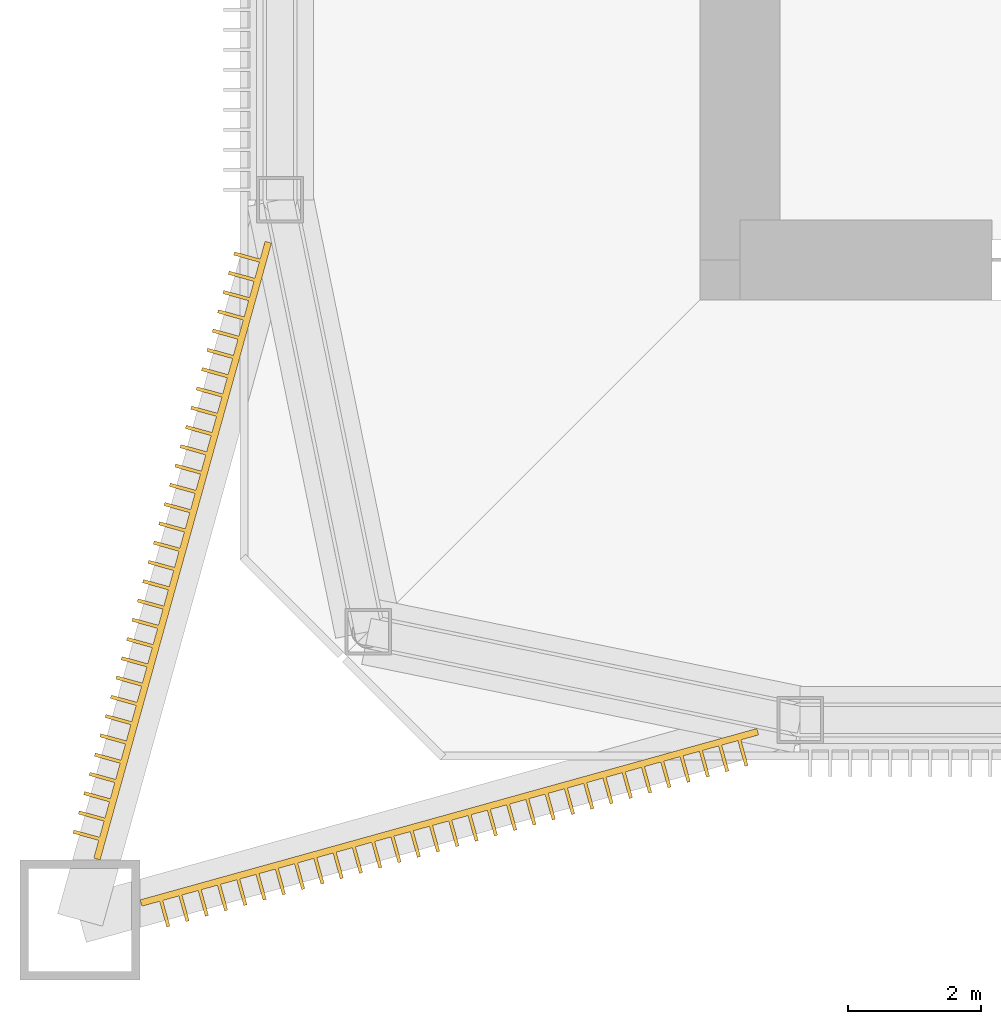
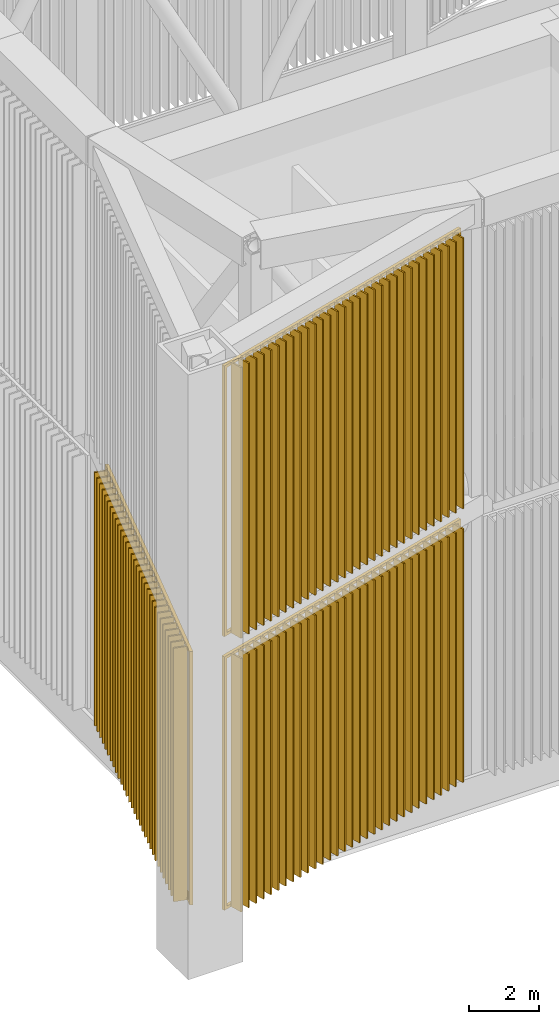
# One storey, part 4 of 13: 3 shading devices.
"""IFC4 building model written with IfcOpenShell, lengths in metres."""

from ifc_helpers import new_model, si_unit, direction, frame, origin, origin_2d, place, context, subcontext, project, spatial, rectangle, extrude, material, layer, layer_set, type_object, element, save


model = new_model("IFC4")

# Units and contexts
model_context = context("Model", 3, precision=1e-05, world=origin(), true_north=direction((0.0, 1.0)))
body_context = subcontext(model_context, "Body", "Model", "MODEL_VIEW")
ifc_project = project(units=[si_unit("LENGTHUNIT", "METRE"), si_unit("AREAUNIT", "SQUARE_METRE"), si_unit("VOLUMEUNIT", "CUBIC_METRE"), si_unit("PLANEANGLEUNIT", "RADIAN"), si_unit("MASSUNIT", "GRAM", prefix="KILO")], contexts=[model_context])

# Site, building, storey
site_placement = place(None, origin())
site = spatial("IfcSite", under=ifc_project, at=site_placement, CompositionType="ELEMENT")
building_placement = place(site_placement, origin())
building = spatial("IfcBuilding", under=site, at=building_placement, Name="Iwan Alto Co-Living Towers", CompositionType="ELEMENT")
storey_placement = place(building_placement, frame((0.0, 0.0, 267.5)))
storey = spatial("IfcBuildingStorey", under=building, at=storey_placement, Name="RF", CompositionType="ELEMENT", Elevation=267.5)

# Shading devices
ifc_material_1 = material(Name="Aluminium 6063-T6 bronze anodised", Category="aluminium")
ifc_layer_1 = layer(ifc_material_1, 0.39990234375, Name="Fins", Category="Finish")
ifc_material_2 = material(Name="Steel ASTM A36 galvanised frame", Category="steel")
ifc_layer_2 = layer(ifc_material_2, 0.10009765625, Name="Panel frame", Category="Framing")
ifc_layer_set = layer_set([ifc_layer_1, ifc_layer_2], Name="CROWN FIN SCREEN CORNER PANEL")
shading_device_type = type_object("IfcShadingDeviceType", Name="CROWN FIN SCREEN CORNER PANEL", PredefinedType="USERDEFINED", material=ifc_layer_set)
shading_device_1_placement = place(storey_placement, frame((0.0, 0.0, -267.5)))
element("IfcShadingDevice", 1, at=shading_device_1_placement, inside=storey, type_object=shading_device_type, Name="T1 crown fin screen SW-S lower", ObjectType="LOUVER", PredefinedType="USERDEFINED", context=body_context, shape_type="SweptSolid", body=[
    extrude(rectangle(XDim=9.59912109375, YDim=0.10009765625, at=origin_2d()), frame((-13.3603515625, -17.361083984375, 268.599853515625), z_axis=(0.0, 0.0, 1.0), x_axis=(-0.963517909615, -0.267643863841, 0.0)), (0.0, 0.0, 1.0), 0.10009765625),
    extrude(rectangle(XDim=9.59912109375, YDim=0.10009765625, at=origin_2d()), frame((-13.3603515625, -17.361083984375, 277.300048828125), z_axis=(0.0, 0.0, 1.0), x_axis=(-0.963517909615, -0.267643863841, 0.0)), (0.0, 0.0, 1.0), 0.10009765625),
    extrude(rectangle(XDim=0.10009765625, YDim=0.10009765625, at=origin_2d()), frame((-8.7841796875, -16.090087890625, 268.69482421875), z_axis=(0.0, 0.0, 1.0), x_axis=(-0.963517909615, -0.267643863841, 0.0)), (0.0, 0.0, 1.0), 8.610107421875),
    extrude(rectangle(XDim=0.10009765625, YDim=0.10009765625, at=origin_2d()), frame((-17.9365234375, -18.63232421875, 268.69482421875), z_axis=(0.0, 0.0, 1.0), x_axis=(-0.963517909615, -0.267643863841, 0.0)), (0.0, 0.0, 1.0), 8.610107421875),
    extrude(rectangle(XDim=0.050048828125, YDim=0.405029296875, at=origin_2d()), frame((-8.958251953125, -16.395263671875, 268.60009765625), z_axis=(0.0, 0.0, 1.0), x_axis=(-0.963517909615, -0.267643863841, 0.0)), (0.0, 0.0, 1.0), 8.800048828125),
    extrude(rectangle(XDim=0.050048828125, YDim=0.405029296875, at=origin_2d()), frame((-9.247314453125, -16.4755859375, 268.60009765625), z_axis=(0.0, 0.0, 1.0), x_axis=(-0.963517909615, -0.267643863841, 0.0)), (0.0, 0.0, 1.0), 8.800048828125),
    extrude(rectangle(XDim=0.050048828125, YDim=0.405029296875, at=origin_2d()), frame((-9.536376953125, -16.555908203125, 268.60009765625), z_axis=(0.0, 0.0, 1.0), x_axis=(-0.963517909615, -0.267643863841, 0.0)), (0.0, 0.0, 1.0), 8.800048828125),
    extrude(rectangle(XDim=0.050048828125, YDim=0.405029296875, at=origin_2d()), frame((-9.825439453125, -16.63623046875, 268.60009765625), z_axis=(0.0, 0.0, 1.0), x_axis=(-0.963517909615, -0.267643863841, 0.0)), (0.0, 0.0, 1.0), 8.800048828125),
    extrude(rectangle(XDim=0.050048828125, YDim=0.405029296875, at=origin_2d()), frame((-10.114501953125, -16.71630859375, 268.60009765625), z_axis=(0.0, 0.0, 1.0), x_axis=(-0.963517909615, -0.267643863841, 0.0)), (0.0, 0.0, 1.0), 8.800048828125),
    extrude(rectangle(XDim=0.050048828125, YDim=0.405029296875, at=origin_2d()), frame((-10.403564453125, -16.796630859375, 268.60009765625), z_axis=(0.0, 0.0, 1.0), x_axis=(-0.963517909615, -0.267643863841, 0.0)), (0.0, 0.0, 1.0), 8.800048828125),
    extrude(rectangle(XDim=0.050048828125, YDim=0.405029296875, at=origin_2d()), frame((-10.692626953125, -16.876953125, 268.60009765625), z_axis=(0.0, 0.0, 1.0), x_axis=(-0.963517909615, -0.267643863841, 0.0)), (0.0, 0.0, 1.0), 8.800048828125),
    extrude(rectangle(XDim=0.050048828125, YDim=0.405029296875, at=origin_2d()), frame((-10.981689453125, -16.957275390625, 268.60009765625), z_axis=(0.0, 0.0, 1.0), x_axis=(-0.963517909615, -0.267643863841, 0.0)), (0.0, 0.0, 1.0), 8.800048828125),
    extrude(rectangle(XDim=0.050048828125, YDim=0.405029296875, at=origin_2d()), frame((-11.270751953125, -17.03759765625, 268.60009765625), z_axis=(0.0, 0.0, 1.0), x_axis=(-0.963517909615, -0.267643863841, 0.0)), (0.0, 0.0, 1.0), 8.800048828125),
    extrude(rectangle(XDim=0.050048828125, YDim=0.405029296875, at=origin_2d()), frame((-11.559814453125, -17.117919921875, 268.60009765625), z_axis=(0.0, 0.0, 1.0), x_axis=(-0.963517909615, -0.267643863841, 0.0)), (0.0, 0.0, 1.0), 8.800048828125),
    extrude(rectangle(XDim=0.050048828125, YDim=0.405029296875, at=origin_2d()), frame((-11.848876953125, -17.1982421875, 268.60009765625), z_axis=(0.0, 0.0, 1.0), x_axis=(-0.963517909615, -0.267643863841, 0.0)), (0.0, 0.0, 1.0), 8.800048828125),
    extrude(rectangle(XDim=0.050048828125, YDim=0.405029296875, at=origin_2d()), frame((-12.137939453125, -17.278564453125, 268.60009765625), z_axis=(0.0, 0.0, 1.0), x_axis=(-0.963517909615, -0.267643863841, 0.0)), (0.0, 0.0, 1.0), 8.800048828125),
    extrude(rectangle(XDim=0.050048828125, YDim=0.405029296875, at=origin_2d()), frame((-12.427001953125, -17.35888671875, 268.60009765625), z_axis=(0.0, 0.0, 1.0), x_axis=(-0.963517909615, -0.267643863841, 0.0)), (0.0, 0.0, 1.0), 8.800048828125),
    extrude(rectangle(XDim=0.050048828125, YDim=0.405029296875, at=origin_2d()), frame((-12.716064453125, -17.439208984375, 268.60009765625), z_axis=(0.0, 0.0, 1.0), x_axis=(-0.963517909615, -0.267643863841, 0.0)), (0.0, 0.0, 1.0), 8.800048828125),
    extrude(rectangle(XDim=0.050048828125, YDim=0.405029296875, at=origin_2d()), frame((-13.0048828125, -17.519287109375, 268.60009765625), z_axis=(0.0, 0.0, 1.0), x_axis=(-0.963517909615, -0.267643863841, 0.0)), (0.0, 0.0, 1.0), 8.800048828125),
    extrude(rectangle(XDim=0.050048828125, YDim=0.405029296875, at=origin_2d()), frame((-13.294189453125, -17.599609375, 268.60009765625), z_axis=(0.0, 0.0, 1.0), x_axis=(-0.963517909615, -0.267643863841, 0.0)), (0.0, 0.0, 1.0), 8.800048828125),
    extrude(rectangle(XDim=0.050048828125, YDim=0.405029296875, at=origin_2d()), frame((-13.5830078125, -17.679931640625, 268.60009765625), z_axis=(0.0, 0.0, 1.0), x_axis=(-0.963517909615, -0.267643863841, 0.0)), (0.0, 0.0, 1.0), 8.800048828125),
    extrude(rectangle(XDim=0.050048828125, YDim=0.405029296875, at=origin_2d()), frame((-13.872314453125, -17.76025390625, 268.60009765625), z_axis=(0.0, 0.0, 1.0), x_axis=(-0.963517909615, -0.267643863841, 0.0)), (0.0, 0.0, 1.0), 8.800048828125),
    extrude(rectangle(XDim=0.050048828125, YDim=0.405029296875, at=origin_2d()), frame((-14.161376953125, -17.840576171875, 268.60009765625), z_axis=(0.0, 0.0, 1.0), x_axis=(-0.963517909615, -0.267643863841, 0.0)), (0.0, 0.0, 1.0), 8.800048828125),
    extrude(rectangle(XDim=0.050048828125, YDim=0.405029296875, at=origin_2d()), frame((-14.4501953125, -17.9208984375, 268.60009765625), z_axis=(0.0, 0.0, 1.0), x_axis=(-0.963517909615, -0.267643863841, 0.0)), (0.0, 0.0, 1.0), 8.800048828125),
    extrude(rectangle(XDim=0.050048828125, YDim=0.405029296875, at=origin_2d()), frame((-14.739501953125, -18.001220703125, 268.60009765625), z_axis=(0.0, 0.0, 1.0), x_axis=(-0.963517909615, -0.267643863841, 0.0)), (0.0, 0.0, 1.0), 8.800048828125),
    extrude(rectangle(XDim=0.050048828125, YDim=0.405029296875, at=origin_2d()), frame((-15.0283203125, -18.081298828125, 268.60009765625), z_axis=(0.0, 0.0, 1.0), x_axis=(-0.963517909615, -0.267643863841, 0.0)), (0.0, 0.0, 1.0), 8.800048828125),
    extrude(rectangle(XDim=0.050048828125, YDim=0.405029296875, at=origin_2d()), frame((-15.3173828125, -18.16162109375, 268.60009765625), z_axis=(0.0, 0.0, 1.0), x_axis=(-0.963517909615, -0.267643863841, 0.0)), (0.0, 0.0, 1.0), 8.800048828125),
    extrude(rectangle(XDim=0.050048828125, YDim=0.405029296875, at=origin_2d()), frame((-15.6064453125, -18.241943359375, 268.60009765625), z_axis=(0.0, 0.0, 1.0), x_axis=(-0.963517909615, -0.267643863841, 0.0)), (0.0, 0.0, 1.0), 8.800048828125),
    extrude(rectangle(XDim=0.050048828125, YDim=0.405029296875, at=origin_2d()), frame((-15.8955078125, -18.322265625, 268.60009765625), z_axis=(0.0, 0.0, 1.0), x_axis=(-0.963517909615, -0.267643863841, 0.0)), (0.0, 0.0, 1.0), 8.800048828125),
    extrude(rectangle(XDim=0.050048828125, YDim=0.405029296875, at=origin_2d()), frame((-16.1845703125, -18.402587890625, 268.60009765625), z_axis=(0.0, 0.0, 1.0), x_axis=(-0.963517909615, -0.267643863841, 0.0)), (0.0, 0.0, 1.0), 8.800048828125),
    extrude(rectangle(XDim=0.050048828125, YDim=0.405029296875, at=origin_2d()), frame((-16.4736328125, -18.48291015625, 268.60009765625), z_axis=(0.0, 0.0, 1.0), x_axis=(-0.963517909615, -0.267643863841, 0.0)), (0.0, 0.0, 1.0), 8.800048828125),
    extrude(rectangle(XDim=0.050048828125, YDim=0.405029296875, at=origin_2d()), frame((-16.7626953125, -18.563232421875, 268.60009765625), z_axis=(0.0, 0.0, 1.0), x_axis=(-0.963517909615, -0.267643863841, 0.0)), (0.0, 0.0, 1.0), 8.800048828125),
    extrude(rectangle(XDim=0.050048828125, YDim=0.405029296875, at=origin_2d()), frame((-17.0517578125, -18.6435546875, 268.60009765625), z_axis=(0.0, 0.0, 1.0), x_axis=(-0.963517909615, -0.267643863841, 0.0)), (0.0, 0.0, 1.0), 8.800048828125),
    extrude(rectangle(XDim=0.050048828125, YDim=0.405029296875, at=origin_2d()), frame((-17.3408203125, -18.723876953125, 268.60009765625), z_axis=(0.0, 0.0, 1.0), x_axis=(-0.963517909615, -0.267643863841, 0.0)), (0.0, 0.0, 1.0), 8.800048828125),
    extrude(rectangle(XDim=0.050048828125, YDim=0.405029296875, at=origin_2d()), frame((-17.6298828125, -18.80419921875, 268.60009765625), z_axis=(0.0, 0.0, 1.0), x_axis=(-0.963517909615, -0.267643863841, 0.0)), (0.0, 0.0, 1.0), 8.800048828125),
])
shading_device_2_placement = place(storey_placement, frame((0.0, 0.0, -267.5)))
element("IfcShadingDevice", 2, at=shading_device_2_placement, inside=storey, type_object=shading_device_type, Name="T1 crown fin screen SW-S upper", ObjectType="LOUVER", PredefinedType="USERDEFINED", context=body_context, shape_type="SweptSolid", body=[
    extrude(rectangle(XDim=9.59912109375, YDim=0.10009765625, at=origin_2d()), frame((-13.3603515625, -17.361083984375, 278.099853515625), z_axis=(0.0, 0.0, 1.0), x_axis=(-0.963517909615, -0.267643863841, 0.0)), (0.0, 0.0, 1.0), 0.10009765625),
    extrude(rectangle(XDim=9.59912109375, YDim=0.10009765625, at=origin_2d()), frame((-13.3603515625, -17.361083984375, 287.39990234375), z_axis=(0.0, 0.0, 1.0), x_axis=(-0.963517909615, -0.267643863841, 0.0)), (0.0, 0.0, 1.0), 0.10009765625),
    extrude(rectangle(XDim=0.10009765625, YDim=0.10009765625, at=origin_2d()), frame((-8.7841796875, -16.090087890625, 278.195068359375), z_axis=(0.0, 0.0, 1.0), x_axis=(-0.963517909615, -0.267643863841, 0.0)), (0.0, 0.0, 1.0), 9.2099609375),
    extrude(rectangle(XDim=0.10009765625, YDim=0.10009765625, at=origin_2d()), frame((-17.9365234375, -18.63232421875, 278.195068359375), z_axis=(0.0, 0.0, 1.0), x_axis=(-0.963517909615, -0.267643863841, 0.0)), (0.0, 0.0, 1.0), 9.2099609375),
    extrude(rectangle(XDim=0.050048828125, YDim=0.405029296875, at=origin_2d()), frame((-8.958251953125, -16.395263671875, 278.10009765625), z_axis=(0.0, 0.0, 1.0), x_axis=(-0.963517909615, -0.267643863841, 0.0)), (0.0, 0.0, 1.0), 9.39990234375),
    extrude(rectangle(XDim=0.050048828125, YDim=0.405029296875, at=origin_2d()), frame((-9.247314453125, -16.4755859375, 278.10009765625), z_axis=(0.0, 0.0, 1.0), x_axis=(-0.963517909615, -0.267643863841, 0.0)), (0.0, 0.0, 1.0), 9.39990234375),
    extrude(rectangle(XDim=0.050048828125, YDim=0.405029296875, at=origin_2d()), frame((-9.536376953125, -16.555908203125, 278.10009765625), z_axis=(0.0, 0.0, 1.0), x_axis=(-0.963517909615, -0.267643863841, 0.0)), (0.0, 0.0, 1.0), 9.39990234375),
    extrude(rectangle(XDim=0.050048828125, YDim=0.405029296875, at=origin_2d()), frame((-9.825439453125, -16.63623046875, 278.10009765625), z_axis=(0.0, 0.0, 1.0), x_axis=(-0.963517909615, -0.267643863841, 0.0)), (0.0, 0.0, 1.0), 9.39990234375),
    extrude(rectangle(XDim=0.050048828125, YDim=0.405029296875, at=origin_2d()), frame((-10.114501953125, -16.71630859375, 278.10009765625), z_axis=(0.0, 0.0, 1.0), x_axis=(-0.963517909615, -0.267643863841, 0.0)), (0.0, 0.0, 1.0), 9.39990234375),
    extrude(rectangle(XDim=0.050048828125, YDim=0.405029296875, at=origin_2d()), frame((-10.403564453125, -16.796630859375, 278.10009765625), z_axis=(0.0, 0.0, 1.0), x_axis=(-0.963517909615, -0.267643863841, 0.0)), (0.0, 0.0, 1.0), 9.39990234375),
    extrude(rectangle(XDim=0.050048828125, YDim=0.405029296875, at=origin_2d()), frame((-10.692626953125, -16.876953125, 278.10009765625), z_axis=(0.0, 0.0, 1.0), x_axis=(-0.963517909615, -0.267643863841, 0.0)), (0.0, 0.0, 1.0), 9.39990234375),
    extrude(rectangle(XDim=0.050048828125, YDim=0.405029296875, at=origin_2d()), frame((-10.981689453125, -16.957275390625, 278.10009765625), z_axis=(0.0, 0.0, 1.0), x_axis=(-0.963517909615, -0.267643863841, 0.0)), (0.0, 0.0, 1.0), 9.39990234375),
    extrude(rectangle(XDim=0.050048828125, YDim=0.405029296875, at=origin_2d()), frame((-11.270751953125, -17.03759765625, 278.10009765625), z_axis=(0.0, 0.0, 1.0), x_axis=(-0.963517909615, -0.267643863841, 0.0)), (0.0, 0.0, 1.0), 9.39990234375),
    extrude(rectangle(XDim=0.050048828125, YDim=0.405029296875, at=origin_2d()), frame((-11.559814453125, -17.117919921875, 278.10009765625), z_axis=(0.0, 0.0, 1.0), x_axis=(-0.963517909615, -0.267643863841, 0.0)), (0.0, 0.0, 1.0), 9.39990234375),
    extrude(rectangle(XDim=0.050048828125, YDim=0.405029296875, at=origin_2d()), frame((-11.848876953125, -17.1982421875, 278.10009765625), z_axis=(0.0, 0.0, 1.0), x_axis=(-0.963517909615, -0.267643863841, 0.0)), (0.0, 0.0, 1.0), 9.39990234375),
    extrude(rectangle(XDim=0.050048828125, YDim=0.405029296875, at=origin_2d()), frame((-12.137939453125, -17.278564453125, 278.10009765625), z_axis=(0.0, 0.0, 1.0), x_axis=(-0.963517909615, -0.267643863841, 0.0)), (0.0, 0.0, 1.0), 9.39990234375),
    extrude(rectangle(XDim=0.050048828125, YDim=0.405029296875, at=origin_2d()), frame((-12.427001953125, -17.35888671875, 278.10009765625), z_axis=(0.0, 0.0, 1.0), x_axis=(-0.963517909615, -0.267643863841, 0.0)), (0.0, 0.0, 1.0), 9.39990234375),
    extrude(rectangle(XDim=0.050048828125, YDim=0.405029296875, at=origin_2d()), frame((-12.716064453125, -17.439208984375, 278.10009765625), z_axis=(0.0, 0.0, 1.0), x_axis=(-0.963517909615, -0.267643863841, 0.0)), (0.0, 0.0, 1.0), 9.39990234375),
    extrude(rectangle(XDim=0.050048828125, YDim=0.405029296875, at=origin_2d()), frame((-13.0048828125, -17.519287109375, 278.10009765625), z_axis=(0.0, 0.0, 1.0), x_axis=(-0.963517909615, -0.267643863841, 0.0)), (0.0, 0.0, 1.0), 9.39990234375),
    extrude(rectangle(XDim=0.050048828125, YDim=0.405029296875, at=origin_2d()), frame((-13.294189453125, -17.599609375, 278.10009765625), z_axis=(0.0, 0.0, 1.0), x_axis=(-0.963517909615, -0.267643863841, 0.0)), (0.0, 0.0, 1.0), 9.39990234375),
    extrude(rectangle(XDim=0.050048828125, YDim=0.405029296875, at=origin_2d()), frame((-13.5830078125, -17.679931640625, 278.10009765625), z_axis=(0.0, 0.0, 1.0), x_axis=(-0.963517909615, -0.267643863841, 0.0)), (0.0, 0.0, 1.0), 9.39990234375),
    extrude(rectangle(XDim=0.050048828125, YDim=0.405029296875, at=origin_2d()), frame((-13.872314453125, -17.76025390625, 278.10009765625), z_axis=(0.0, 0.0, 1.0), x_axis=(-0.963517909615, -0.267643863841, 0.0)), (0.0, 0.0, 1.0), 9.39990234375),
    extrude(rectangle(XDim=0.050048828125, YDim=0.405029296875, at=origin_2d()), frame((-14.161376953125, -17.840576171875, 278.10009765625), z_axis=(0.0, 0.0, 1.0), x_axis=(-0.963517909615, -0.267643863841, 0.0)), (0.0, 0.0, 1.0), 9.39990234375),
    extrude(rectangle(XDim=0.050048828125, YDim=0.405029296875, at=origin_2d()), frame((-14.4501953125, -17.9208984375, 278.10009765625), z_axis=(0.0, 0.0, 1.0), x_axis=(-0.963517909615, -0.267643863841, 0.0)), (0.0, 0.0, 1.0), 9.39990234375),
    extrude(rectangle(XDim=0.050048828125, YDim=0.405029296875, at=origin_2d()), frame((-14.739501953125, -18.001220703125, 278.10009765625), z_axis=(0.0, 0.0, 1.0), x_axis=(-0.963517909615, -0.267643863841, 0.0)), (0.0, 0.0, 1.0), 9.39990234375),
    extrude(rectangle(XDim=0.050048828125, YDim=0.405029296875, at=origin_2d()), frame((-15.0283203125, -18.081298828125, 278.10009765625), z_axis=(0.0, 0.0, 1.0), x_axis=(-0.963517909615, -0.267643863841, 0.0)), (0.0, 0.0, 1.0), 9.39990234375),
    extrude(rectangle(XDim=0.050048828125, YDim=0.405029296875, at=origin_2d()), frame((-15.3173828125, -18.16162109375, 278.10009765625), z_axis=(0.0, 0.0, 1.0), x_axis=(-0.963517909615, -0.267643863841, 0.0)), (0.0, 0.0, 1.0), 9.39990234375),
    extrude(rectangle(XDim=0.050048828125, YDim=0.405029296875, at=origin_2d()), frame((-15.6064453125, -18.241943359375, 278.10009765625), z_axis=(0.0, 0.0, 1.0), x_axis=(-0.963517909615, -0.267643863841, 0.0)), (0.0, 0.0, 1.0), 9.39990234375),
    extrude(rectangle(XDim=0.050048828125, YDim=0.405029296875, at=origin_2d()), frame((-15.8955078125, -18.322265625, 278.10009765625), z_axis=(0.0, 0.0, 1.0), x_axis=(-0.963517909615, -0.267643863841, 0.0)), (0.0, 0.0, 1.0), 9.39990234375),
    extrude(rectangle(XDim=0.050048828125, YDim=0.405029296875, at=origin_2d()), frame((-16.1845703125, -18.402587890625, 278.10009765625), z_axis=(0.0, 0.0, 1.0), x_axis=(-0.963517909615, -0.267643863841, 0.0)), (0.0, 0.0, 1.0), 9.39990234375),
    extrude(rectangle(XDim=0.050048828125, YDim=0.405029296875, at=origin_2d()), frame((-16.4736328125, -18.48291015625, 278.10009765625), z_axis=(0.0, 0.0, 1.0), x_axis=(-0.963517909615, -0.267643863841, 0.0)), (0.0, 0.0, 1.0), 9.39990234375),
    extrude(rectangle(XDim=0.050048828125, YDim=0.405029296875, at=origin_2d()), frame((-16.7626953125, -18.563232421875, 278.10009765625), z_axis=(0.0, 0.0, 1.0), x_axis=(-0.963517909615, -0.267643863841, 0.0)), (0.0, 0.0, 1.0), 9.39990234375),
    extrude(rectangle(XDim=0.050048828125, YDim=0.405029296875, at=origin_2d()), frame((-17.0517578125, -18.6435546875, 278.10009765625), z_axis=(0.0, 0.0, 1.0), x_axis=(-0.963517909615, -0.267643863841, 0.0)), (0.0, 0.0, 1.0), 9.39990234375),
    extrude(rectangle(XDim=0.050048828125, YDim=0.405029296875, at=origin_2d()), frame((-17.3408203125, -18.723876953125, 278.10009765625), z_axis=(0.0, 0.0, 1.0), x_axis=(-0.963517909615, -0.267643863841, 0.0)), (0.0, 0.0, 1.0), 9.39990234375),
    extrude(rectangle(XDim=0.050048828125, YDim=0.405029296875, at=origin_2d()), frame((-17.6298828125, -18.80419921875, 278.10009765625), z_axis=(0.0, 0.0, 1.0), x_axis=(-0.963517909615, -0.267643863841, 0.0)), (0.0, 0.0, 1.0), 9.39990234375),
])
shading_device_3_placement = place(storey_placement, frame((0.0, 0.0, -267.5)))
element("IfcShadingDevice", 3, at=shading_device_3_placement, inside=storey, type_object=shading_device_type, Name="T1 crown fin screen SW-W lower", ObjectType="LOUVER", PredefinedType="USERDEFINED", context=body_context, shape_type="SweptSolid", body=[
    extrude(rectangle(XDim=9.59912109375, YDim=0.10009765625, at=origin_2d()), frame((-17.361083984375, -13.3603515625, 268.599853515625), z_axis=(0.0, 0.0, 1.0), x_axis=(-0.267643863841, -0.963517909615, 0.0)), (0.0, 0.0, 1.0), 0.10009765625),
    extrude(rectangle(XDim=9.59912109375, YDim=0.10009765625, at=origin_2d()), frame((-17.361083984375, -13.3603515625, 277.300048828125), z_axis=(0.0, 0.0, 1.0), x_axis=(-0.267643863841, -0.963517909615, 0.0)), (0.0, 0.0, 1.0), 0.10009765625),
    extrude(rectangle(XDim=0.10009765625, YDim=0.10009765625, at=origin_2d()), frame((-16.090087890625, -8.7841796875, 268.69482421875), z_axis=(0.0, 0.0, 1.0), x_axis=(-0.267643863841, -0.963517909615, 0.0)), (0.0, 0.0, 1.0), 8.610107421875),
    extrude(rectangle(XDim=0.10009765625, YDim=0.10009765625, at=origin_2d()), frame((-18.63232421875, -17.9365234375, 268.69482421875), z_axis=(0.0, 0.0, 1.0), x_axis=(-0.267643863841, -0.963517909615, 0.0)), (0.0, 0.0, 1.0), 8.610107421875),
    extrude(rectangle(XDim=0.050048828125, YDim=0.405029296875, at=origin_2d()), frame((-16.395263671875, -8.958251953125, 268.60009765625), z_axis=(0.0, 0.0, 1.0), x_axis=(-0.267643863841, -0.963517909615, 0.0)), (0.0, 0.0, 1.0), 8.800048828125),
    extrude(rectangle(XDim=0.050048828125, YDim=0.405029296875, at=origin_2d()), frame((-16.4755859375, -9.247314453125, 268.60009765625), z_axis=(0.0, 0.0, 1.0), x_axis=(-0.267643863841, -0.963517909615, 0.0)), (0.0, 0.0, 1.0), 8.800048828125),
    extrude(rectangle(XDim=0.050048828125, YDim=0.405029296875, at=origin_2d()), frame((-16.555908203125, -9.536376953125, 268.60009765625), z_axis=(0.0, 0.0, 1.0), x_axis=(-0.267643863841, -0.963517909615, 0.0)), (0.0, 0.0, 1.0), 8.800048828125),
    extrude(rectangle(XDim=0.050048828125, YDim=0.405029296875, at=origin_2d()), frame((-16.63623046875, -9.825439453125, 268.60009765625), z_axis=(0.0, 0.0, 1.0), x_axis=(-0.267643863841, -0.963517909615, 0.0)), (0.0, 0.0, 1.0), 8.800048828125),
    extrude(rectangle(XDim=0.050048828125, YDim=0.405029296875, at=origin_2d()), frame((-16.71630859375, -10.114501953125, 268.60009765625), z_axis=(0.0, 0.0, 1.0), x_axis=(-0.267643863841, -0.963517909615, 0.0)), (0.0, 0.0, 1.0), 8.800048828125),
    extrude(rectangle(XDim=0.050048828125, YDim=0.405029296875, at=origin_2d()), frame((-16.796630859375, -10.403564453125, 268.60009765625), z_axis=(0.0, 0.0, 1.0), x_axis=(-0.267643863841, -0.963517909615, 0.0)), (0.0, 0.0, 1.0), 8.800048828125),
    extrude(rectangle(XDim=0.050048828125, YDim=0.405029296875, at=origin_2d()), frame((-16.876953125, -10.692626953125, 268.60009765625), z_axis=(0.0, 0.0, 1.0), x_axis=(-0.267643863841, -0.963517909615, 0.0)), (0.0, 0.0, 1.0), 8.800048828125),
    extrude(rectangle(XDim=0.050048828125, YDim=0.405029296875, at=origin_2d()), frame((-16.957275390625, -10.981689453125, 268.60009765625), z_axis=(0.0, 0.0, 1.0), x_axis=(-0.267643863841, -0.963517909615, 0.0)), (0.0, 0.0, 1.0), 8.800048828125),
    extrude(rectangle(XDim=0.050048828125, YDim=0.405029296875, at=origin_2d()), frame((-17.03759765625, -11.270751953125, 268.60009765625), z_axis=(0.0, 0.0, 1.0), x_axis=(-0.267643863841, -0.963517909615, 0.0)), (0.0, 0.0, 1.0), 8.800048828125),
    extrude(rectangle(XDim=0.050048828125, YDim=0.405029296875, at=origin_2d()), frame((-17.117919921875, -11.559814453125, 268.60009765625), z_axis=(0.0, 0.0, 1.0), x_axis=(-0.267643863841, -0.963517909615, 0.0)), (0.0, 0.0, 1.0), 8.800048828125),
    extrude(rectangle(XDim=0.050048828125, YDim=0.405029296875, at=origin_2d()), frame((-17.1982421875, -11.848876953125, 268.60009765625), z_axis=(0.0, 0.0, 1.0), x_axis=(-0.267643863841, -0.963517909615, 0.0)), (0.0, 0.0, 1.0), 8.800048828125),
    extrude(rectangle(XDim=0.050048828125, YDim=0.405029296875, at=origin_2d()), frame((-17.278564453125, -12.137939453125, 268.60009765625), z_axis=(0.0, 0.0, 1.0), x_axis=(-0.267643863841, -0.963517909615, 0.0)), (0.0, 0.0, 1.0), 8.800048828125),
    extrude(rectangle(XDim=0.050048828125, YDim=0.405029296875, at=origin_2d()), frame((-17.35888671875, -12.427001953125, 268.60009765625), z_axis=(0.0, 0.0, 1.0), x_axis=(-0.267643863841, -0.963517909615, 0.0)), (0.0, 0.0, 1.0), 8.800048828125),
    extrude(rectangle(XDim=0.050048828125, YDim=0.405029296875, at=origin_2d()), frame((-17.439208984375, -12.716064453125, 268.60009765625), z_axis=(0.0, 0.0, 1.0), x_axis=(-0.267643863841, -0.963517909615, 0.0)), (0.0, 0.0, 1.0), 8.800048828125),
    extrude(rectangle(XDim=0.050048828125, YDim=0.405029296875, at=origin_2d()), frame((-17.519287109375, -13.0048828125, 268.60009765625), z_axis=(0.0, 0.0, 1.0), x_axis=(-0.267643863841, -0.963517909615, 0.0)), (0.0, 0.0, 1.0), 8.800048828125),
    extrude(rectangle(XDim=0.050048828125, YDim=0.405029296875, at=origin_2d()), frame((-17.599609375, -13.294189453125, 268.60009765625), z_axis=(0.0, 0.0, 1.0), x_axis=(-0.267643863841, -0.963517909615, 0.0)), (0.0, 0.0, 1.0), 8.800048828125),
    extrude(rectangle(XDim=0.050048828125, YDim=0.405029296875, at=origin_2d()), frame((-17.679931640625, -13.5830078125, 268.60009765625), z_axis=(0.0, 0.0, 1.0), x_axis=(-0.267643863841, -0.963517909615, 0.0)), (0.0, 0.0, 1.0), 8.800048828125),
    extrude(rectangle(XDim=0.050048828125, YDim=0.405029296875, at=origin_2d()), frame((-17.76025390625, -13.872314453125, 268.60009765625), z_axis=(0.0, 0.0, 1.0), x_axis=(-0.267643863841, -0.963517909615, 0.0)), (0.0, 0.0, 1.0), 8.800048828125),
    extrude(rectangle(XDim=0.050048828125, YDim=0.405029296875, at=origin_2d()), frame((-17.840576171875, -14.161376953125, 268.60009765625), z_axis=(0.0, 0.0, 1.0), x_axis=(-0.267643863841, -0.963517909615, 0.0)), (0.0, 0.0, 1.0), 8.800048828125),
    extrude(rectangle(XDim=0.050048828125, YDim=0.405029296875, at=origin_2d()), frame((-17.9208984375, -14.4501953125, 268.60009765625), z_axis=(0.0, 0.0, 1.0), x_axis=(-0.267643863841, -0.963517909615, 0.0)), (0.0, 0.0, 1.0), 8.800048828125),
    extrude(rectangle(XDim=0.050048828125, YDim=0.405029296875, at=origin_2d()), frame((-18.001220703125, -14.739501953125, 268.60009765625), z_axis=(0.0, 0.0, 1.0), x_axis=(-0.267643863841, -0.963517909615, 0.0)), (0.0, 0.0, 1.0), 8.800048828125),
    extrude(rectangle(XDim=0.050048828125, YDim=0.405029296875, at=origin_2d()), frame((-18.081298828125, -15.0283203125, 268.60009765625), z_axis=(0.0, 0.0, 1.0), x_axis=(-0.267643863841, -0.963517909615, 0.0)), (0.0, 0.0, 1.0), 8.800048828125),
    extrude(rectangle(XDim=0.050048828125, YDim=0.405029296875, at=origin_2d()), frame((-18.16162109375, -15.3173828125, 268.60009765625), z_axis=(0.0, 0.0, 1.0), x_axis=(-0.267643863841, -0.963517909615, 0.0)), (0.0, 0.0, 1.0), 8.800048828125),
    extrude(rectangle(XDim=0.050048828125, YDim=0.405029296875, at=origin_2d()), frame((-18.241943359375, -15.6064453125, 268.60009765625), z_axis=(0.0, 0.0, 1.0), x_axis=(-0.267643863841, -0.963517909615, 0.0)), (0.0, 0.0, 1.0), 8.800048828125),
    extrude(rectangle(XDim=0.050048828125, YDim=0.405029296875, at=origin_2d()), frame((-18.322265625, -15.8955078125, 268.60009765625), z_axis=(0.0, 0.0, 1.0), x_axis=(-0.267643863841, -0.963517909615, 0.0)), (0.0, 0.0, 1.0), 8.800048828125),
    extrude(rectangle(XDim=0.050048828125, YDim=0.405029296875, at=origin_2d()), frame((-18.402587890625, -16.1845703125, 268.60009765625), z_axis=(0.0, 0.0, 1.0), x_axis=(-0.267643863841, -0.963517909615, 0.0)), (0.0, 0.0, 1.0), 8.800048828125),
    extrude(rectangle(XDim=0.050048828125, YDim=0.405029296875, at=origin_2d()), frame((-18.48291015625, -16.4736328125, 268.60009765625), z_axis=(0.0, 0.0, 1.0), x_axis=(-0.267643863841, -0.963517909615, 0.0)), (0.0, 0.0, 1.0), 8.800048828125),
    extrude(rectangle(XDim=0.050048828125, YDim=0.405029296875, at=origin_2d()), frame((-18.563232421875, -16.7626953125, 268.60009765625), z_axis=(0.0, 0.0, 1.0), x_axis=(-0.267643863841, -0.963517909615, 0.0)), (0.0, 0.0, 1.0), 8.800048828125),
    extrude(rectangle(XDim=0.050048828125, YDim=0.405029296875, at=origin_2d()), frame((-18.6435546875, -17.0517578125, 268.60009765625), z_axis=(0.0, 0.0, 1.0), x_axis=(-0.267643863841, -0.963517909615, 0.0)), (0.0, 0.0, 1.0), 8.800048828125),
    extrude(rectangle(XDim=0.050048828125, YDim=0.405029296875, at=origin_2d()), frame((-18.723876953125, -17.3408203125, 268.60009765625), z_axis=(0.0, 0.0, 1.0), x_axis=(-0.267643863841, -0.963517909615, 0.0)), (0.0, 0.0, 1.0), 8.800048828125),
    extrude(rectangle(XDim=0.050048828125, YDim=0.405029296875, at=origin_2d()), frame((-18.80419921875, -17.6298828125, 268.60009765625), z_axis=(0.0, 0.0, 1.0), x_axis=(-0.267643863841, -0.963517909615, 0.0)), (0.0, 0.0, 1.0), 8.800048828125),
])

save(model, "model.ifc")
